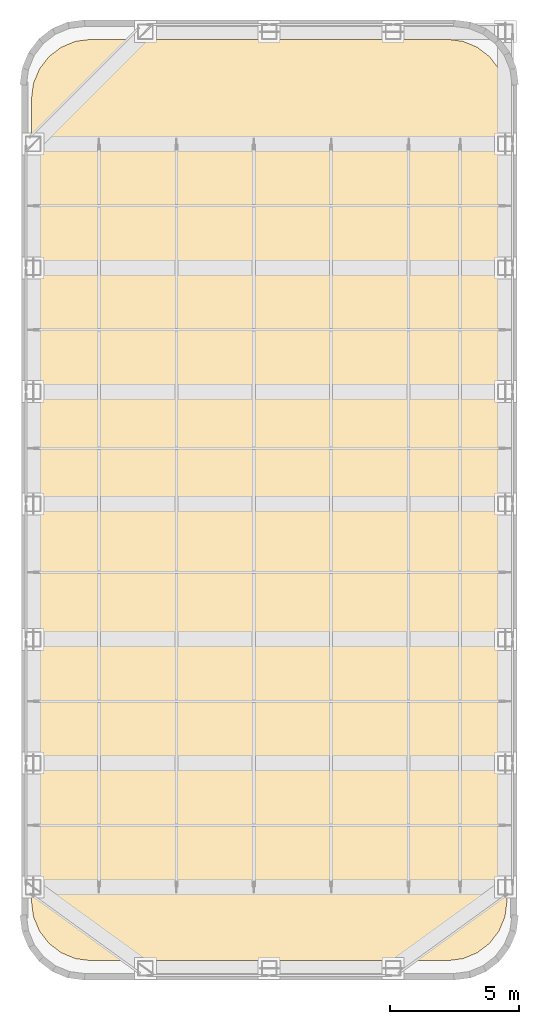
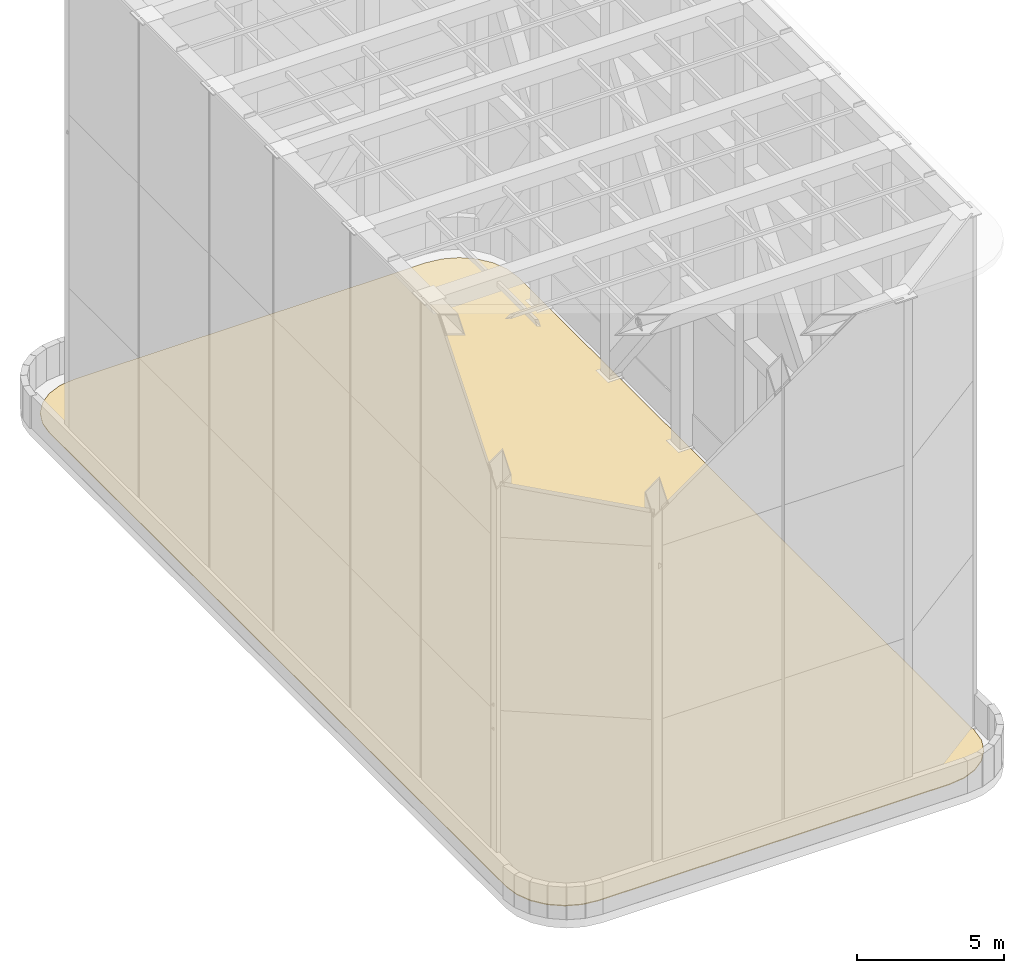
# One storey, part 4 of 4: 1 covering.
"""IFC4 building model written with IfcOpenShell, lengths in metres."""

from ifc_helpers import new_model, si_unit, direction, frame, origin, place, context, subcontext, project, spatial, polyline, outline, extrude, material, layer, layer_set, type_object, element, save


model = new_model("IFC4")

# Units and contexts
model_context = context("Model", 3, precision=1e-05, world=origin(), true_north=direction((0.0, 1.0)))
body_context = subcontext(model_context, "Body", "Model", "MODEL_VIEW")
ifc_project = project(units=[si_unit("LENGTHUNIT", "METRE"), si_unit("AREAUNIT", "SQUARE_METRE"), si_unit("VOLUMEUNIT", "CUBIC_METRE"), si_unit("PLANEANGLEUNIT", "RADIAN"), si_unit("MASSUNIT", "GRAM", prefix="KILO")], contexts=[model_context])

# Site, building, storey
site_placement = place(None, origin())
site = spatial("IfcSite", under=ifc_project, at=site_placement, CompositionType="ELEMENT")
building_placement = place(site_placement, origin())
building = spatial("IfcBuilding", under=site, at=building_placement, Name="Orvandelia Arch Residences", CompositionType="ELEMENT")
storey_placement = place(building_placement, frame((0.0, 0.0, 301.0)))
storey = spatial("IfcBuildingStorey", under=building, at=storey_placement, Name="RF", CompositionType="ELEMENT", Elevation=301.0)

# Covering
ifc_material = material(Name="Elastomeric Coastal Waterproofing Membrane")
ifc_layer = layer(ifc_material, 0.034912109375, Name="Elastomeric Coastal Waterproofing Membrane")
ifc_layer_set = layer_set([ifc_layer], Name="Elastomeric Coastal Waterproofing Membrane")
covering_type = type_object("IfcCoveringType", Name="COV-ROOF-MEMB", PredefinedType="ROOFING", material=ifc_layer_set)
covering_placement = place(storey_placement, origin())
element("IfcCovering", 1, at=covering_placement, inside=storey, type_object=covering_type, Name="Main Roof Elastomeric Waterproofing Membrane", PredefinedType="ROOFING", context=body_context, shape_type="SweptSolid", body=[
    extrude(outline(polyline([(5.18408203125, 13.847900390625), (5.262451171875, 13.251708984375), (5.49267578125, 12.696044921875), (5.85888671875, 12.21875), (6.3359375, 11.8525390625), (6.8916015625, 11.62255859375), (7.488037109375, 11.5439453125), (21.31201171875, 11.5439453125), (21.908447265625, 11.62255859375), (22.464111328125, 11.8525390625), (22.941162109375, 12.21875), (23.307373046875, 12.696044921875), (23.53759765625, 13.251708984375), (23.615966796875, 13.847900390625), (23.615966796875, 44.951904296875), (23.53759765625, 45.54833984375), (23.307373046875, 46.10400390625), (22.941162109375, 46.581298828125), (22.464111328125, 46.947509765625), (21.908447265625, 47.177490234375), (21.31201171875, 47.256103515625), (7.488037109375, 47.256103515625), (6.8916015625, 47.177490234375), (6.3359375, 46.947509765625), (5.85888671875, 46.581298828125), (5.49267578125, 46.10400390625), (5.262451171875, 45.54833984375), (5.18408203125, 44.951904296875), (5.18408203125, 13.847900390625)])), origin(), (0.0, 0.0, 1.0), 0.034912109375),
])

save(model, "model.ifc")
